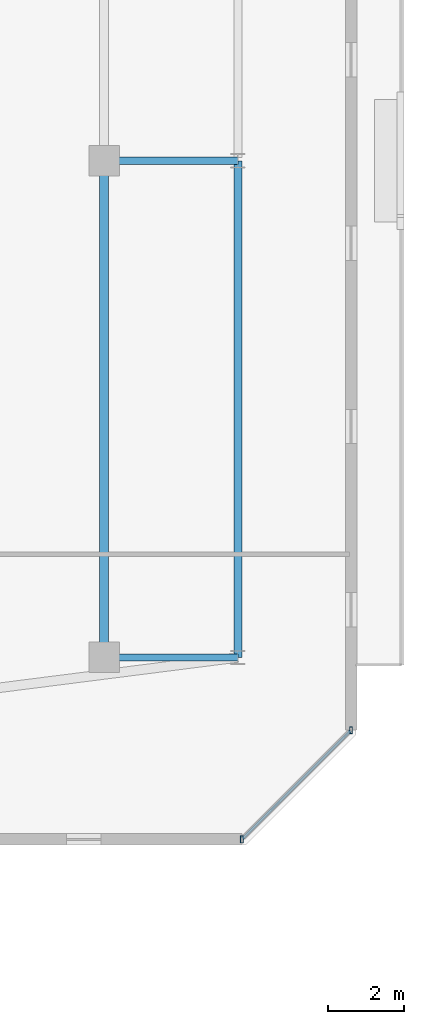
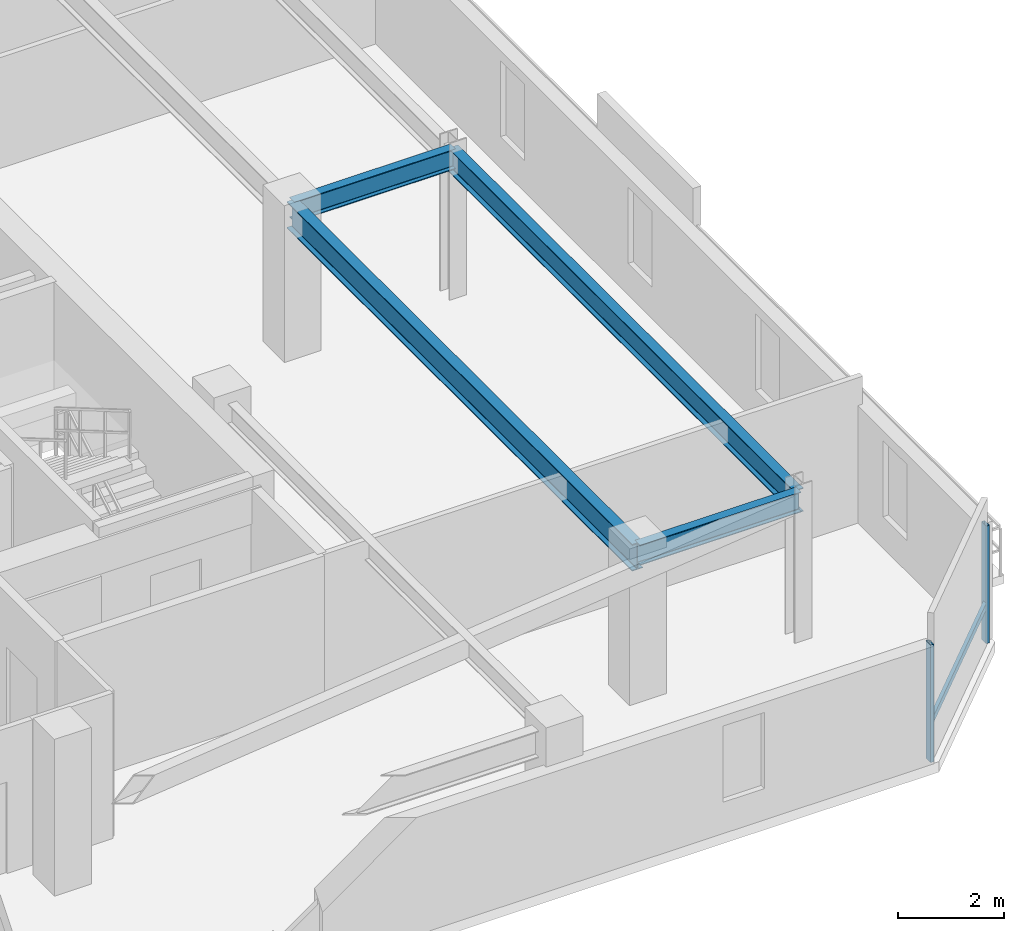
# One storey, part 16 of 35: 4 beams, 3 members, 1 element without a shape of its own.
"""IFC4 building model written with IfcOpenShell, lengths in metres."""

from ifc_helpers import new_model, si_unit, direction, frame, origin, origin_2d, place, context, subcontext, project, spatial, hollow_rectangle, i_section, extrude, material, material_profile, profile_set, type_object, element, aggregate, save


model = new_model("IFC4")

# Units and contexts
model_context = context("Model", 3, precision=1e-05, world=origin(), true_north=direction((0.0, 1.0)))
body_context = subcontext(model_context, "Body", "Model", "MODEL_VIEW")
ifc_project = project(units=[si_unit("LENGTHUNIT", "METRE"), si_unit("AREAUNIT", "SQUARE_METRE"), si_unit("VOLUMEUNIT", "CUBIC_METRE"), si_unit("PLANEANGLEUNIT", "RADIAN"), si_unit("MASSUNIT", "GRAM", prefix="KILO")], contexts=[model_context])

# Site, building, storey
site_placement = place(None, origin())
site = spatial("IfcSite", under=ifc_project, at=site_placement, CompositionType="ELEMENT")
building_placement = place(site_placement, origin())
building = spatial("IfcBuilding", under=site, at=building_placement, Name="Thornwick Lancets Civic Towers", CompositionType="ELEMENT")
storey_placement = place(building_placement, frame((0.0, 0.0, 272.699951171875)))
storey = spatial("IfcBuildingStorey", under=building, at=storey_placement, Name="L73", CompositionType="ELEMENT", Elevation=272.699951171875)

# Beams
ifc_material_1 = material(Name="Steel S355JR", Category="steel")
ifc_material_profile_1 = material_profile(ifc_material_1, i_section(OverallWidth=0.210693359375, OverallDepth=0.53955078125, WebThickness=0.01171875, FlangeThickness=0.018798828125, FilletRadius=0.0126953125, at=origin_2d()), Name="UKB 533x210x109")
ifc_profile_set_1 = profile_set([ifc_material_profile_1], Name="Steel S355JR")
beam_type_1 = type_object("IfcBeamType", Name="BM_EDGE_533_109", PredefinedType="SPANDREL", material=ifc_profile_set_1)
beam_1_placement = place(storey_placement, frame((109.300048828125, 14.0, 3.09033203125), z_axis=(0.0, 1.0, 0.0), x_axis=(-1.0, 0.0, 0.0)))
element("IfcBeam", 1, at=beam_1_placement, inside=storey, type_object=beam_type_1, Name="BM-EDGE-L73-B-S0-1", PredefinedType="SPANDREL", context=body_context, shape_type="SweptSolid", body=[
    extrude(i_section(OverallWidth=0.210693359375, OverallDepth=0.53955078125, WebThickness=0.01171875, FlangeThickness=0.018798828125, FilletRadius=0.0126953125, at=origin_2d()), origin(), (0.0, 0.0, 1.0), 13.0),
])
ifc_material_profile_2 = material_profile(ifc_material_1, i_section(OverallWidth=0.230224609375, OverallDepth=0.6171875, WebThickness=0.01318359375, FlangeThickness=0.022216796875, FilletRadius=0.0126953125, at=origin_2d()), Name="UKB 610x229x140")
ifc_profile_set_2 = profile_set([ifc_material_profile_2], Name="Steel S355JR")
beam_type_2 = type_object("IfcBeamType", Name="BM_GIRD_610_140", PredefinedType="BEAM", material=ifc_profile_set_2)
beam_2_placement = place(storey_placement, frame((105.800048828125, 14.0, 3.051513671875), z_axis=(0.0, 1.0, 0.0), x_axis=(-1.0, 0.0, 0.0)))
element("IfcBeam", 2, at=beam_2_placement, inside=storey, type_object=beam_type_2, Name="BM-SPINE-L73-B-0-1", PredefinedType="BEAM", context=body_context, shape_type="SweptSolid", body=[
    extrude(i_section(OverallWidth=0.230224609375, OverallDepth=0.6171875, WebThickness=0.01318359375, FlangeThickness=0.022216796875, FilletRadius=0.0126953125, at=origin_2d()), origin(), (0.0, 0.0, 1.0), 13.0),
])
ifc_material_profile_3 = material_profile(ifc_material_1, i_section(OverallWidth=0.19189453125, OverallDepth=0.46337890625, WebThickness=0.010498046875, FlangeThickness=0.017578125, FilletRadius=0.01025390625, at=origin_2d()), Name="UKB 457x191x89")
ifc_profile_set_3 = profile_set([ifc_material_profile_3], Name="Steel S355JR")
beam_type_3 = type_object("IfcBeamType", Name="BM_JOIST_457_89", PredefinedType="JOIST", material=ifc_profile_set_3)
for number, where, z_axis, x_axis, name in (
    (3, (105.800048828125, 14.0, 3.12841796875), (1.0, 0.0, 0.0), (0.0, 1.0, 0.0), "BM-RAD-L73-B01"),
    (4, (105.800048828125, 27.0, 3.12841796875), (1.0, 0.0, 0.0), (0.0, 1.0, 0.0), "BM-RAD-L73-B02"),
):
    element("IfcBeam", number, at=place(storey_placement, frame(where, z_axis=z_axis, x_axis=x_axis)), inside=storey, type_object=beam_type_3, Name=name, PredefinedType="JOIST", context=body_context, shape_type="SweptSolid", body=[
        extrude(i_section(OverallWidth=0.19189453125, OverallDepth=0.46337890625, WebThickness=0.010498046875, FlangeThickness=0.017578125, FilletRadius=0.01025390625, at=origin_2d()), origin(), (0.0, 0.0, 1.0), 3.5),
    ])

# Curtain wall, members
ifc_material_2 = material(Name="High-zone chamfered-corner unitised glass curtain wall", Category="glass")
curtain_wall_type = type_object("IfcCurtainWallType", Name="CW_SYS_05", PredefinedType="NOTDEFINED", material=ifc_material_2)
curtain_wall_placement = place(storey_placement, origin())
curtain_wall = element("IfcCurtainWall", 5, at=curtain_wall_placement, inside=storey, type_object=curtain_wall_type, Name="L73 Curtain Wall CW-L73-B-E1", PredefinedType="NOTDEFINED")
ifc_material_3 = material(Name="Thermally broken bronze aluminium S355", Category="steel")
ifc_material_profile_4 = material_profile(ifc_material_3, hollow_rectangle(XDim=0.074951171875, YDim=0.179931640625, WallThickness=0.006103515625, at=origin_2d()), Name="RHS 180x75x6")
ifc_profile_set_4 = profile_set([ifc_material_profile_4], Name="Thermally broken bronze aluminium S355")
member_type_1 = type_object("IfcMemberType", Name="CW_MUL_180", PredefinedType="MULLION", material=ifc_profile_set_4)
member_1_placement = place(storey_placement, frame((109.405517578125, 9.236328125, 0.0), z_axis=(0.0, 0.0, 1.0), x_axis=(1.0, 0.0, 0.0)))
member_1 = element("IfcMember", 6, at=member_1_placement, type_object=member_type_1, Name="CW-L73-B-E1 Mullion 0", PredefinedType="MULLION", context=body_context, shape_type="SweptSolid", body=[
    extrude(hollow_rectangle(XDim=0.074951171875, YDim=0.179931640625, WallThickness=0.006103515625, at=origin_2d()), origin(), (0.0, 0.0, 1.0), 2.699951171875),
])
member_2_placement = place(storey_placement, frame((112.263671875, 12.094482421875, 0.0), z_axis=(0.0, 0.0, 1.0), x_axis=(1.0, 0.0, 0.0)))
member_2 = element("IfcMember", 7, at=member_2_placement, type_object=member_type_1, Name="CW-L73-B-E1 Mullion 1", PredefinedType="MULLION", context=body_context, shape_type="SweptSolid", body=[
    extrude(hollow_rectangle(XDim=0.074951171875, YDim=0.179931640625, WallThickness=0.006103515625, at=origin_2d()), origin(), (0.0, 0.0, 1.0), 2.699951171875),
])
ifc_material_profile_5 = material_profile(ifc_material_3, hollow_rectangle(XDim=0.074951171875, YDim=0.14990234375, WallThickness=0.0048828125, at=origin_2d()), Name="RHS 150x75x5")
ifc_profile_set_5 = profile_set([ifc_material_profile_5], Name="Thermally broken bronze aluminium S355")
member_type_2 = type_object("IfcMemberType", Name="CW_TRN_150", PredefinedType="USERDEFINED", material=ifc_profile_set_5)
member_3_placement = place(storey_placement, frame((109.41943359375, 9.25048828125, 0.85009765625), z_axis=(0.707106781187, 0.707106781187, 0.0), x_axis=(-0.707106781187, 0.707106781187, 0.0)))
member_3 = element("IfcMember", 8, at=member_3_placement, type_object=member_type_2, Name="CW-L73-B-E1 Transom 0", ObjectType="TRANSOM", PredefinedType="USERDEFINED", context=body_context, shape_type="SweptSolid", body=[
    extrude(hollow_rectangle(XDim=0.074951171875, YDim=0.14990234375, WallThickness=0.0048828125, at=origin_2d()), origin(), (0.0, 0.0, 1.0), 4.00244140625),
])
aggregate(curtain_wall, [member_1, member_2, member_3])

save(model, "model.ifc")
